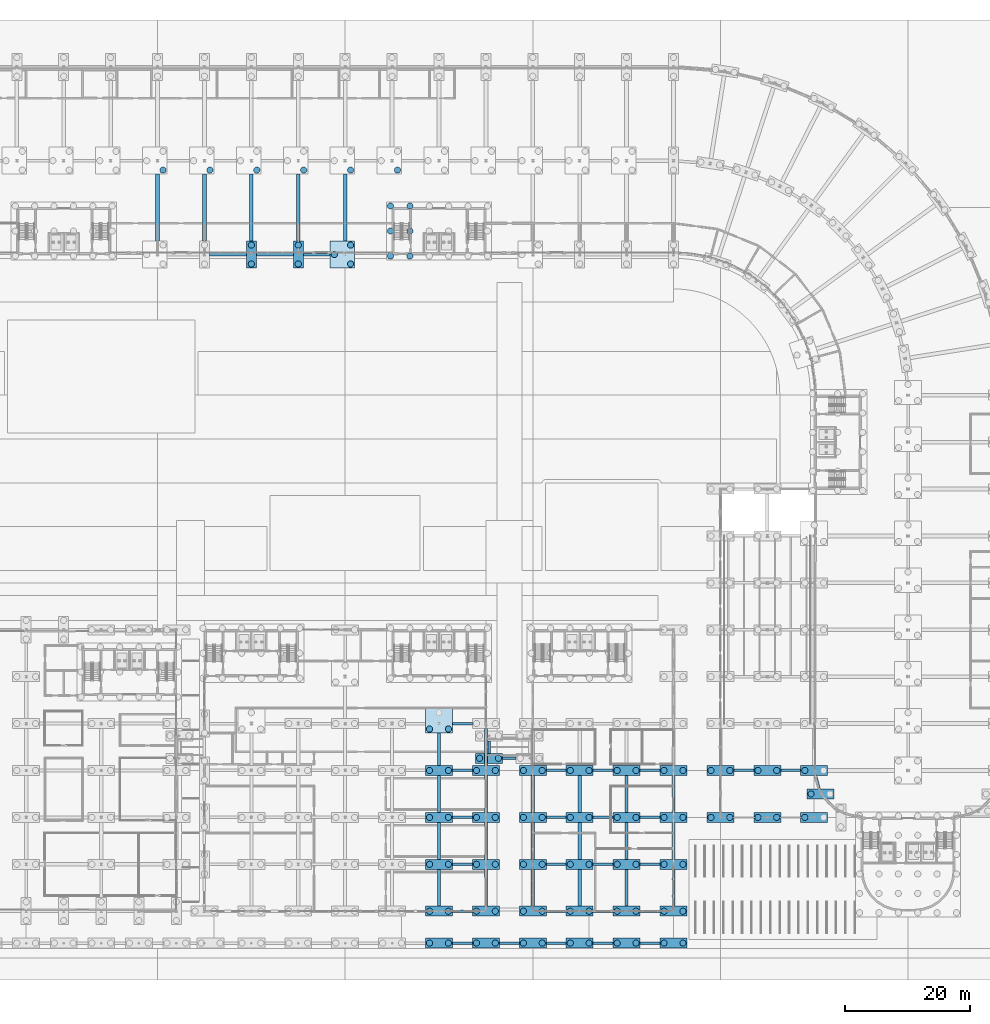
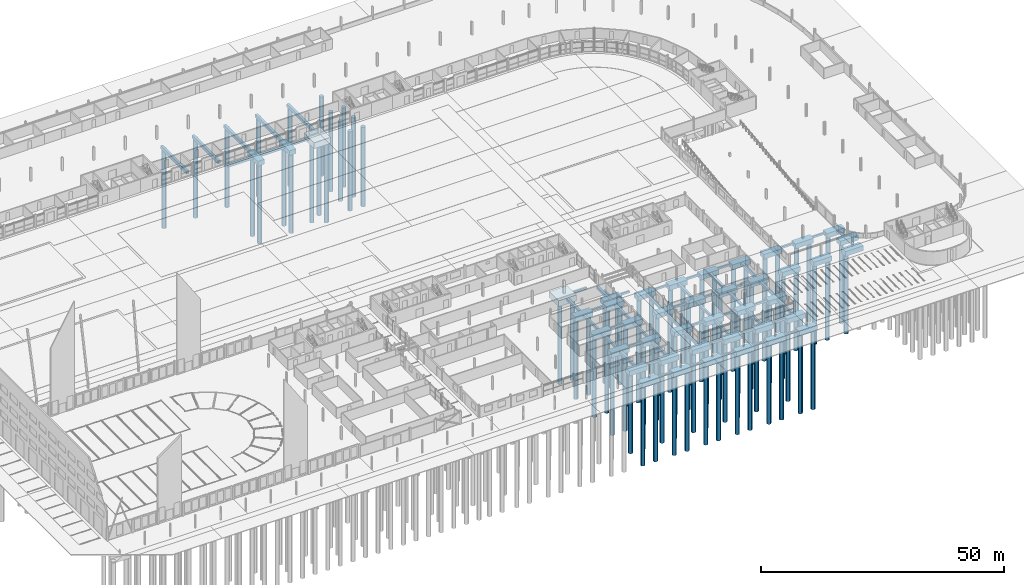
# One storey, part 4 of 130: 97 footings, 94 piles.
"""IFC4 building model written with IfcOpenShell, lengths in metres."""

from ifc_helpers import new_model, si_unit, direction, frame, origin, origin_2d, place, context, subcontext, project, spatial, rectangle, circle, extrude, material, material_profile, profile_set, type_object, element, save


model = new_model("IFC4")

# Units and contexts
model_context = context("Model", 3, precision=1e-05, world=origin(), true_north=direction((0.0, 1.0)))
body_context = subcontext(model_context, "Body", "Model", "MODEL_VIEW")
ifc_project = project(units=[si_unit("LENGTHUNIT", "METRE"), si_unit("AREAUNIT", "SQUARE_METRE"), si_unit("VOLUMEUNIT", "CUBIC_METRE"), si_unit("PLANEANGLEUNIT", "RADIAN"), si_unit("MASSUNIT", "GRAM", prefix="KILO")], contexts=[model_context])

# Site, building, storey
site_placement = place(None, origin())
site = spatial("IfcSite", under=ifc_project, at=site_placement, CompositionType="ELEMENT")
building_placement = place(site_placement, origin())
building = spatial("IfcBuilding", under=site, at=building_placement, Name="Parallax Yard Mobility Hub", CompositionType="ELEMENT")
storey_placement = place(building_placement, origin())
storey = spatial("IfcBuildingStorey", under=building, at=storey_placement, Name="L00", CompositionType="ELEMENT", Elevation=0.0)

# Piles
ifc_material = material(Name="Concrete fc' 28 MPa", Category="concrete")
ifc_material_profile_1 = material_profile(ifc_material, circle(Radius=0.5, at=origin_2d()), Name="Bored pile D1000")
ifc_profile_set_1 = profile_set([ifc_material_profile_1], Name="Concrete fc' 28 MPa")
pile_type = type_object("IfcPileType", Name="Bored pile D1000", PredefinedType="BORED", material=ifc_profile_set_1)
for number, where, z_axis, x_axis, name in (
    (1, (178.4951171875, 22.5, -1.35009765625), (0.0, 0.0, -1.0), (1.0, 0.0, 0.0), "Bored pile 1 of PC1 under column V2 at D/25"),
    (2, (181.5048828125, 22.5, -1.35009765625), (0.0, 0.0, -1.0), (1.0, 0.0, 0.0), "Bored pile 2 of PC1 under column V2 at D/25"),
    (3, (185.9951171875, 22.5, -1.35009765625), (0.0, 0.0, -1.0), (1.0, 0.0, 0.0), "Bored pile 1 of PC1 under column V2 at D/26"),
    (4, (189.0048828125, 22.5, -1.35009765625), (0.0, 0.0, -1.0), (1.0, 0.0, 0.0), "Bored pile 2 of PC1 under column V2 at D/26"),
    (5, (193.4951171875, 22.5, -1.35009765625), (0.0, 0.0, -1.0), (1.0, 0.0, 0.0), "Bored pile 1 of PC1 under column V2 at D/27"),
    (6, (178.4951171875, 30.0, -1.35009765625), (0.0, 0.0, -1.0), (1.0, 0.0, 0.0), "Bored pile 1 of PC1 under column V2 at E/25"),
    (7, (181.5048828125, 30.0, -1.35009765625), (0.0, 0.0, -1.0), (1.0, 0.0, 0.0), "Bored pile 2 of PC1 under column V2 at E/25"),
    (8, (185.9951171875, 30.0, -1.35009765625), (0.0, 0.0, -1.0), (1.0, 0.0, 0.0), "Bored pile 1 of PC1 under column V2 at E/26"),
    (9, (189.0048828125, 30.0, -1.35009765625), (0.0, 0.0, -1.0), (1.0, 0.0, 0.0), "Bored pile 2 of PC1 under column V2 at E/26"),
    (10, (193.4951171875, 30.0, -1.35009765625), (0.0, 0.0, -1.0), (1.0, 0.0, 0.0), "Bored pile 1 of PC1 under column V4 at E/27"),
    (11, (105.0, 110.9951171875, -1.35009765625), (0.0, 0.0, -1.0), (1.0, 0.0, 0.0), "Bored pile 1 of PC1 under column V4 at R/15"),
    (12, (105.0, 114.0048828125, -1.35009765625), (0.0, 0.0, -1.0), (1.0, 0.0, 0.0), "Bored pile 2 of PC1 under column V4 at R/15"),
    (13, (112.5, 110.9951171875, -1.35009765625), (0.0, 0.0, -1.0), (1.0, 0.0, 0.0), "Bored pile 1 of PC1 under column V4 at R/16"),
    (14, (112.5, 114.0048828125, -1.35009765625), (0.0, 0.0, -1.0), (1.0, 0.0, 0.0), "Bored pile 2 of PC1 under column V4 at R/16"),
    (15, (120.868896484375, 110.9951171875, -1.64990234375), (0.0, 0.0, -1.0), (1.0, 0.0, 0.0), "Bored pile 1 of PC3 under column V4 at R/17"),
    (16, (120.868896484375, 114.0048828125, -1.64990234375), (0.0, 0.0, -1.0), (1.0, 0.0, 0.0), "Bored pile 2 of PC3 under column V4 at R/17"),
    (17, (118.26220703125, 112.5, -1.64990234375), (0.0, 0.0, -1.0), (1.0, 0.0, 0.0), "Bored pile 3 of PC3 under column V4 at R/17"),
    (18, (194.499755859375, 26.25, -1.35009765625), (0.0, 0.0, -1.0), (1.0, 0.0, 0.0), "Bored pile 1 of PC1 under column V4 at S-W1"),
    (19, (90.868896484375, 125.9951171875, -1.64990234375), (0.0, 0.0, -1.0), (1.0, 0.0, 0.0), "Bored pile 1 of PC3 under column V4 at T/13"),
    (20, (98.368896484375, 125.9951171875, -1.64990234375), (0.0, 0.0, -1.0), (1.0, 0.0, 0.0), "Bored pile 1 of PC3 under column V4 at T/14"),
    (21, (105.868896484375, 125.9951171875, -1.64990234375), (0.0, 0.0, -1.0), (1.0, 0.0, 0.0), "Bored pile 1 of PC3 under column V4 at T/15"),
    (22, (113.368896484375, 125.9951171875, -1.64990234375), (0.0, 0.0, -1.0), (1.0, 0.0, 0.0), "Bored pile 1 of PC3 under column V4 at T/16"),
    (23, (120.868896484375, 125.9951171875, -1.64990234375), (0.0, 0.0, -1.0), (1.0, 0.0, 0.0), "Bored pile 1 of PC3 under column V4 at T/17"),
    (24, (128.368896484375, 125.9951171875, -1.64990234375), (0.0, 0.0, -1.0), (1.0, 0.0, 0.0), "Bored pile 1 of PC3 under column V4 at T/18"),
    (25, (148.4951171875, 7.5, -1.35009765625), (0.0, 0.0, -1.0), (1.0, 0.0, 0.0), "Bored pile 1 of PC1 under column V5 at B/21"),
    (26, (151.5048828125, 7.5, -1.35009765625), (0.0, 0.0, -1.0), (1.0, 0.0, 0.0), "Bored pile 2 of PC1 under column V5 at B/21"),
    (27, (155.9951171875, 7.5, -1.35009765625), (0.0, 0.0, -1.0), (1.0, 0.0, 0.0), "Bored pile 1 of PC1 under column V5 at B/22"),
    (28, (159.0048828125, 7.5, -1.35009765625), (0.0, 0.0, -1.0), (1.0, 0.0, 0.0), "Bored pile 2 of PC1 under column V5 at B/22"),
    (29, (163.4951171875, 7.5, -1.35009765625), (0.0, 0.0, -1.0), (1.0, 0.0, 0.0), "Bored pile 1 of PC1 under column V5 at B/23"),
    (30, (166.5048828125, 7.5, -1.35009765625), (0.0, 0.0, -1.0), (1.0, 0.0, 0.0), "Bored pile 2 of PC1 under column V5 at B/23"),
    (31, (170.9951171875, 7.5, -1.35009765625), (0.0, 0.0, -1.0), (1.0, 0.0, 0.0), "Bored pile 1 of PC1 under column V5 at B/24"),
    (32, (174.0048828125, 7.5, -1.35009765625), (0.0, 0.0, -1.0), (1.0, 0.0, 0.0), "Bored pile 2 of PC1 under column V5 at B/24"),
    (33, (148.4951171875, 15.0, -1.35009765625), (0.0, 0.0, -1.0), (1.0, 0.0, 0.0), "Bored pile 1 of PC1 under column V5 at C/21"),
    (34, (151.5048828125, 15.0, -1.35009765625), (0.0, 0.0, -1.0), (1.0, 0.0, 0.0), "Bored pile 2 of PC1 under column V5 at C/21"),
    (35, (155.9951171875, 15.0, -1.35009765625), (0.0, 0.0, -1.0), (1.0, 0.0, 0.0), "Bored pile 1 of PC1 under column V5 at C/22"),
    (36, (159.0048828125, 15.0, -1.35009765625), (0.0, 0.0, -1.0), (1.0, 0.0, 0.0), "Bored pile 2 of PC1 under column V5 at C/22"),
    (37, (163.4951171875, 15.0, -1.35009765625), (0.0, 0.0, -1.0), (1.0, 0.0, 0.0), "Bored pile 1 of PC1 under column V5 at C/23"),
    (38, (166.5048828125, 15.0, -1.35009765625), (0.0, 0.0, -1.0), (1.0, 0.0, 0.0), "Bored pile 2 of PC1 under column V5 at C/23"),
    (39, (170.9951171875, 15.0, -1.35009765625), (0.0, 0.0, -1.0), (1.0, 0.0, 0.0), "Bored pile 1 of PC1 under column V5 at C/24"),
    (40, (174.0048828125, 15.0, -1.35009765625), (0.0, 0.0, -1.0), (1.0, 0.0, 0.0), "Bored pile 2 of PC1 under column V5 at C/24"),
    (41, (148.4951171875, 22.5, -1.35009765625), (0.0, 0.0, -1.0), (1.0, 0.0, 0.0), "Bored pile 1 of PC1 under column V5 at D/21"),
    (42, (151.5048828125, 22.5, -1.35009765625), (0.0, 0.0, -1.0), (1.0, 0.0, 0.0), "Bored pile 2 of PC1 under column V5 at D/21"),
    (43, (155.9951171875, 22.5, -1.35009765625), (0.0, 0.0, -1.0), (1.0, 0.0, 0.0), "Bored pile 1 of PC1 under column V5 at D/22"),
    (44, (159.0048828125, 22.5, -1.35009765625), (0.0, 0.0, -1.0), (1.0, 0.0, 0.0), "Bored pile 2 of PC1 under column V5 at D/22"),
    (45, (163.4951171875, 22.5, -1.35009765625), (0.0, 0.0, -1.0), (1.0, 0.0, 0.0), "Bored pile 1 of PC1 under column V5 at D/23"),
    (46, (166.5048828125, 22.5, -1.35009765625), (0.0, 0.0, -1.0), (1.0, 0.0, 0.0), "Bored pile 2 of PC1 under column V5 at D/23"),
    (47, (170.9951171875, 22.5, -1.35009765625), (0.0, 0.0, -1.0), (1.0, 0.0, 0.0), "Bored pile 1 of PC1 under column V5 at D/24"),
    (48, (174.0048828125, 22.5, -1.35009765625), (0.0, 0.0, -1.0), (1.0, 0.0, 0.0), "Bored pile 2 of PC1 under column V5 at D/24"),
    (49, (148.4951171875, 30.0, -1.35009765625), (0.0, 0.0, -1.0), (1.0, 0.0, 0.0), "Bored pile 1 of PC1 under column V5 at E/21"),
    (50, (151.5048828125, 30.0, -1.35009765625), (0.0, 0.0, -1.0), (1.0, 0.0, 0.0), "Bored pile 2 of PC1 under column V5 at E/21"),
    (51, (155.9951171875, 30.0, -1.35009765625), (0.0, 0.0, -1.0), (1.0, 0.0, 0.0), "Bored pile 1 of PC1 under column V5 at E/22"),
    (52, (159.0048828125, 30.0, -1.35009765625), (0.0, 0.0, -1.0), (1.0, 0.0, 0.0), "Bored pile 2 of PC1 under column V5 at E/22"),
    (53, (163.4951171875, 30.0, -1.35009765625), (0.0, 0.0, -1.0), (1.0, 0.0, 0.0), "Bored pile 1 of PC1 under column V5 at E/23"),
    (54, (166.5048828125, 30.0, -1.35009765625), (0.0, 0.0, -1.0), (1.0, 0.0, 0.0), "Bored pile 2 of PC1 under column V5 at E/23"),
    (55, (170.9951171875, 30.0, -1.35009765625), (0.0, 0.0, -1.0), (1.0, 0.0, 0.0), "Bored pile 1 of PC1 under column V5 at E/24"),
    (56, (174.0048828125, 30.0, -1.35009765625), (0.0, 0.0, -1.0), (1.0, 0.0, 0.0), "Bored pile 2 of PC1 under column V5 at E/24"),
    (57, (133.4951171875, 7.5, -1.35009765625), (0.0, 0.0, -1.0), (1.0, 0.0, 0.0), "Bored pile 1 of PC1 under column V6 at B/19"),
    (58, (136.5048828125, 7.5, -1.35009765625), (0.0, 0.0, -1.0), (1.0, 0.0, 0.0), "Bored pile 2 of PC1 under column V6 at B/19"),
    (59, (140.9951171875, 7.5, -1.35009765625), (0.0, 0.0, -1.0), (1.0, 0.0, 0.0), "Bored pile 1 of PC1 under column V6 at B/20"),
    (60, (144.0048828125, 7.5, -1.35009765625), (0.0, 0.0, -1.0), (1.0, 0.0, 0.0), "Bored pile 2 of PC1 under column V6 at B/20"),
    (61, (133.4951171875, 15.0, -1.35009765625), (0.0, 0.0, -1.0), (1.0, 0.0, 0.0), "Bored pile 1 of PC1 under column V6 at C/19"),
    (62, (136.5048828125, 15.0, -1.35009765625), (0.0, 0.0, -1.0), (1.0, 0.0, 0.0), "Bored pile 2 of PC1 under column V6 at C/19"),
    (63, (140.9951171875, 15.0, -1.35009765625), (0.0, 0.0, -1.0), (1.0, 0.0, 0.0), "Bored pile 1 of PC1 under column V6 at C/20"),
    (64, (144.0048828125, 15.0, -1.35009765625), (0.0, 0.0, -1.0), (1.0, 0.0, 0.0), "Bored pile 2 of PC1 under column V6 at C/20"),
    (65, (133.4951171875, 22.5, -1.35009765625), (0.0, 0.0, -1.0), (1.0, 0.0, 0.0), "Bored pile 1 of PC1 under column V6 at D/19"),
    (66, (136.5048828125, 22.5, -1.35009765625), (0.0, 0.0, -1.0), (1.0, 0.0, 0.0), "Bored pile 2 of PC1 under column V6 at D/19"),
    (67, (140.9951171875, 22.5, -1.35009765625), (0.0, 0.0, -1.0), (1.0, 0.0, 0.0), "Bored pile 1 of PC1 under column V6 at D/20"),
    (68, (144.0048828125, 22.5, -1.35009765625), (0.0, 0.0, -1.0), (1.0, 0.0, 0.0), "Bored pile 2 of PC1 under column V6 at D/20"),
    (69, (133.4951171875, 30.0, -1.35009765625), (0.0, 0.0, -1.0), (1.0, 0.0, 0.0), "Bored pile 1 of PC1 under column V6 at E/19"),
    (70, (136.5048828125, 30.0, -1.35009765625), (0.0, 0.0, -1.0), (1.0, 0.0, 0.0), "Bored pile 2 of PC1 under column V6 at E/19"),
    (71, (140.9951171875, 30.0, -1.35009765625), (0.0, 0.0, -1.0), (1.0, 0.0, 0.0), "Bored pile 1 of PC1 under column V6 at E/20"),
    (72, (144.0048828125, 30.0, -1.35009765625), (0.0, 0.0, -1.0), (1.0, 0.0, 0.0), "Bored pile 2 of PC1 under column V6 at E/20"),
    (73, (133.4951171875, 36.631103515625, -1.64990234375), (0.0, 0.0, -1.0), (1.0, 0.0, 0.0), "Bored pile 1 of PC3 under column V6 at F/19"),
    (74, (136.5048828125, 36.631103515625, -1.64990234375), (0.0, 0.0, -1.0), (1.0, 0.0, 0.0), "Bored pile 2 of PC3 under column V6 at F/19"),
    (75, (127.25, 112.25, -1.64990234375), (0.0, 0.0, -1.0), (1.0, 0.0, 0.0), "Bored pile 1 of PR1 under core C-N2"),
    (76, (130.35009765625, 112.25, -1.64990234375), (0.0, 0.0, -1.0), (1.0, 0.0, 0.0), "Bored pile 2 of PR1 under core C-N2"),
    (77, (127.25, 116.25, -1.64990234375), (0.0, 0.0, -1.0), (1.0, 0.0, 0.0), "Bored pile 7 of PR1 under core C-N2"),
    (78, (130.35009765625, 116.25, -1.64990234375), (0.0, 0.0, -1.0), (1.0, 0.0, 0.0), "Bored pile 8 of PR1 under core C-N2"),
    (79, (127.25, 120.25, -1.64990234375), (0.0, 0.0, -1.0), (1.0, 0.0, 0.0), "Bored pile 13 of PR1 under core C-N2"),
    (80, (130.35009765625, 120.25, -1.64990234375), (0.0, 0.0, -1.0), (1.0, 0.0, 0.0), "Bored pile 14 of PR1 under core C-N2"),
    (81, (133.4951171875, 2.39990234375, -1.35009765625), (0.0, 0.0, -1.0), (1.0, 0.0, 0.0), "Bored pile 1 of PC1 under column RT at AR-V6-C06-L00"),
    (82, (136.5048828125, 2.39990234375, -1.35009765625), (0.0, 0.0, -1.0), (1.0, 0.0, 0.0), "Bored pile 2 of PC1 under column RT at AR-V6-C06-L00"),
    (83, (140.9951171875, 2.39990234375, -1.35009765625), (0.0, 0.0, -1.0), (1.0, 0.0, 0.0), "Bored pile 1 of PC1 under column RT at AR-V6-C07-L00"),
    (84, (144.0048828125, 2.39990234375, -1.35009765625), (0.0, 0.0, -1.0), (1.0, 0.0, 0.0), "Bored pile 2 of PC1 under column RT at AR-V6-C07-L00"),
    (85, (148.4951171875, 2.39990234375, -1.35009765625), (0.0, 0.0, -1.0), (1.0, 0.0, 0.0), "Bored pile 1 of PC1 under column RT at AR-V6-C08-L00"),
    (86, (151.5048828125, 2.39990234375, -1.35009765625), (0.0, 0.0, -1.0), (1.0, 0.0, 0.0), "Bored pile 2 of PC1 under column RT at AR-V6-C08-L00"),
    (87, (155.9951171875, 2.39990234375, -1.35009765625), (0.0, 0.0, -1.0), (1.0, 0.0, 0.0), "Bored pile 1 of PC1 under column RT at AR-V6-C09-L00"),
    (88, (159.0048828125, 2.39990234375, -1.35009765625), (0.0, 0.0, -1.0), (1.0, 0.0, 0.0), "Bored pile 2 of PC1 under column RT at AR-V6-C09-L00"),
    (89, (163.4951171875, 2.39990234375, -1.35009765625), (0.0, 0.0, -1.0), (1.0, 0.0, 0.0), "Bored pile 1 of PC1 under column RT at AR-V6-C10-L00"),
    (90, (166.5048828125, 2.39990234375, -1.35009765625), (0.0, 0.0, -1.0), (1.0, 0.0, 0.0), "Bored pile 2 of PC1 under column RT at AR-V6-C10-L00"),
    (91, (170.9951171875, 2.39990234375, -1.35009765625), (0.0, 0.0, -1.0), (1.0, 0.0, 0.0), "Bored pile 1 of PC1 under column RT at AR-V6-C11-L00"),
    (92, (174.0048828125, 2.39990234375, -1.35009765625), (0.0, 0.0, -1.0), (1.0, 0.0, 0.0), "Bored pile 2 of PC1 under column RT at AR-V6-C11-L00"),
    (93, (141.4951171875, 31.949951171875, -1.35009765625), (0.0, 0.0, -1.0), (1.0, 0.0, 0.0), "Bored pile 1 of PC1 under column RT at BR-BR3-PI0320-1-L00"),
    (94, (144.5048828125, 31.949951171875, -1.35009765625), (0.0, 0.0, -1.0), (1.0, 0.0, 0.0), "Bored pile 2 of PC1 under column RT at BR-BR3-PI0320-1-L00"),
):
    element("IfcPile", number, at=place(storey_placement, frame(where, z_axis=z_axis, x_axis=x_axis)), inside=storey, type_object=pile_type, Name=name, PredefinedType="BORED", context=body_context, shape_type="SweptSolid", body=[
        extrude(circle(Radius=0.5, at=origin_2d()), origin(), (0.0, 0.0, 1.0), 20.0),
    ])

# Footings
ifc_material_profile_2 = material_profile(ifc_material, rectangle(XDim=0.39990234375, YDim=0.5, at=origin_2d()), Name="Grade beam 400x500")
ifc_profile_set_2 = profile_set([ifc_material_profile_2], Name="Concrete fc' 28 MPa")
footing_type_1 = type_object("IfcFootingType", Name="Grade beam 400x500", PredefinedType="STRIP_FOOTING", material=ifc_profile_set_2)
for number, where, z_axis, x_axis, name in (
    (95, (182.155029296875, 30.0, -0.5), (1.0, 0.0, 0.0), (0.0, 1.0, 0.0), "Grade beam GB1 between E/25 and E/26 of ramp house"),
    (96, (189.655029296875, 30.0, -0.5), (1.0, 0.0, 0.0), (0.0, 1.0, 0.0), "Grade beam GB1 between E/26 and E/27 of ramp house"),
):
    element("IfcFooting", number, at=place(storey_placement, frame(where, z_axis=z_axis, x_axis=x_axis)), inside=storey, type_object=footing_type_1, Name=name, PredefinedType="STRIP_FOOTING", context=body_context, shape_type="SweptSolid", body=[
        extrude(rectangle(XDim=0.39990234375, YDim=0.5, at=origin_2d()), origin(), (0.0, 0.0, 1.0), 3.18994140625),
    ])
footing_1_placement = place(storey_placement, frame((195.21435546875, 29.199951171875, -0.5), z_axis=(0.258761672144, -0.965941197501, 0.0), x_axis=(0.965941197501, 0.258761672144, 0.0)))
element("IfcFooting", 97, at=footing_1_placement, inside=storey, type_object=footing_type_1, Name="Grade beam GB1 between E/27 and S-W1 of ramped parking decks", PredefinedType="STRIP_FOOTING", context=body_context, shape_type="SweptSolid", body=[
    extrude(rectangle(XDim=0.39990234375, YDim=0.5, at=origin_2d()), origin(), (0.0, 0.0, 1.0), 2.2255859375),
])
footing_2_placement = place(storey_placement, frame((113.300048828125, 112.5, -0.5), z_axis=(1.0, 0.0, 0.0), x_axis=(0.0, 1.0, 0.0)))
element("IfcFooting", 98, at=footing_2_placement, inside=storey, type_object=footing_type_1, Name="Grade beam GB1 between R/16 and R/17 of ramped parking decks", PredefinedType="STRIP_FOOTING", context=body_context, shape_type="SweptSolid", body=[
    extrude(rectangle(XDim=0.39990234375, YDim=0.5, at=origin_2d()), origin(), (0.0, 0.0, 1.0), 4.312255859375),
])
for number, where, z_axis, x_axis, name in (
    (99, (152.155029296875, 7.5, -0.5), (1.0, 0.0, 0.0), (0.0, 1.0, 0.0), "Grade beam GB1 between B/21 and B/22 of bicycle and shared-mobility hall"),
    (100, (159.655029296875, 7.5, -0.5), (1.0, 0.0, 0.0), (0.0, 1.0, 0.0), "Grade beam GB1 between B/22 and B/23 of bicycle and shared-mobility hall"),
    (101, (167.155029296875, 7.5, -0.5), (1.0, 0.0, 0.0), (0.0, 1.0, 0.0), "Grade beam GB1 between B/23 and B/24 of bicycle and shared-mobility hall"),
    (102, (152.155029296875, 15.0, -0.5), (1.0, 0.0, 0.0), (0.0, 1.0, 0.0), "Grade beam GB1 between C/21 and C/22 of bicycle and shared-mobility hall"),
    (103, (159.655029296875, 15.0, -0.5), (1.0, 0.0, 0.0), (0.0, 1.0, 0.0), "Grade beam GB1 between C/22 and C/23 of bicycle and shared-mobility hall"),
    (104, (167.155029296875, 15.0, -0.5), (1.0, 0.0, 0.0), (0.0, 1.0, 0.0), "Grade beam GB1 between C/23 and C/24 of bicycle and shared-mobility hall"),
    (105, (152.155029296875, 22.5, -0.5), (1.0, 0.0, 0.0), (0.0, 1.0, 0.0), "Grade beam GB1 between D/21 and D/22 of bicycle and shared-mobility hall"),
    (106, (159.655029296875, 22.5, -0.5), (1.0, 0.0, 0.0), (0.0, 1.0, 0.0), "Grade beam GB1 between D/22 and D/23 of bicycle and shared-mobility hall"),
    (107, (167.155029296875, 22.5, -0.5), (1.0, 0.0, 0.0), (0.0, 1.0, 0.0), "Grade beam GB1 between D/23 and D/24 of bicycle and shared-mobility hall"),
    (108, (152.155029296875, 30.0, -0.5), (1.0, 0.0, 0.0), (0.0, 1.0, 0.0), "Grade beam GB1 between E/21 and E/22 of bicycle and shared-mobility hall"),
    (109, (159.655029296875, 30.0, -0.5), (1.0, 0.0, 0.0), (0.0, 1.0, 0.0), "Grade beam GB1 between E/22 and E/23 of bicycle and shared-mobility hall"),
    (110, (167.155029296875, 30.0, -0.5), (1.0, 0.0, 0.0), (0.0, 1.0, 0.0), "Grade beam GB1 between E/23 and E/24 of bicycle and shared-mobility hall"),
    (111, (137.155029296875, 7.5, -0.5), (1.0, 0.0, 0.0), (0.0, 1.0, 0.0), "Grade beam GB1 between B/19 and B/20 of mobility service centre and workshops"),
    (112, (137.155029296875, 15.0, -0.5), (1.0, 0.0, 0.0), (0.0, 1.0, 0.0), "Grade beam GB1 between C/19 and C/20 of mobility service centre and workshops"),
    (113, (137.155029296875, 22.5, -0.5), (1.0, 0.0, 0.0), (0.0, 1.0, 0.0), "Grade beam GB1 between D/19 and D/20 of mobility service centre and workshops"),
    (114, (137.155029296875, 30.0, -0.5), (1.0, 0.0, 0.0), (0.0, 1.0, 0.0), "Grade beam GB1 between E/19 and E/20 of mobility service centre and workshops"),
    (115, (137.155029296875, 37.5, -0.5), (1.0, 0.0, 0.0), (0.0, 1.0, 0.0), "Grade beam GB1 between F/19 and F/20 of mobility service centre and workshops"),
    (116, (137.155029296875, 2.39990234375, -0.5), (1.0, 0.0, 0.0), (0.0, 1.0, 0.0), "Grade beam GB1 between two column caps of the roof and arcade columns"),
    (117, (144.655029296875, 2.39990234375, -0.5), (1.0, 0.0, 0.0), (0.0, 1.0, 0.0), "Grade beam GB1 between two column caps of the roof and arcade columns"),
    (118, (152.155029296875, 2.39990234375, -0.5), (1.0, 0.0, 0.0), (0.0, 1.0, 0.0), "Grade beam GB1 between two column caps of the roof and arcade columns"),
    (119, (159.655029296875, 2.39990234375, -0.5), (1.0, 0.0, 0.0), (0.0, 1.0, 0.0), "Grade beam GB1 between two column caps of the roof and arcade columns"),
    (120, (167.155029296875, 2.39990234375, -0.5), (1.0, 0.0, 0.0), (0.0, 1.0, 0.0), "Grade beam GB1 between two column caps of the roof and arcade columns"),
):
    element("IfcFooting", number, at=place(storey_placement, frame(where, z_axis=z_axis, x_axis=x_axis)), inside=storey, type_object=footing_type_1, Name=name, PredefinedType="STRIP_FOOTING", context=body_context, shape_type="SweptSolid", body=[
        extrude(rectangle(XDim=0.39990234375, YDim=0.5, at=origin_2d()), origin(), (0.0, 0.0, 1.0), 3.18994140625),
    ])
footing_3_placement = place(storey_placement, frame((145.155029296875, 31.949951171875, -0.5), z_axis=(1.0, 0.0, 0.0), x_axis=(0.0, 1.0, 0.0)))
element("IfcFooting", 121, at=footing_3_placement, inside=storey, type_object=footing_type_1, Name="Grade beam GB1 between two column caps of the roof and arcade columns", PredefinedType="STRIP_FOOTING", context=body_context, shape_type="SweptSolid", body=[
    extrude(rectangle(XDim=0.39990234375, YDim=0.5, at=origin_2d()), origin(), (0.0, 0.0, 1.0), 2.18994140625),
])
footing_4_placement = place(storey_placement, frame((143.0, 32.75, -0.5), z_axis=(0.0, 1.0, 0.0), x_axis=(-1.0, 0.0, 0.0)))
element("IfcFooting", 122, at=footing_4_placement, inside=storey, type_object=footing_type_1, Name="Grade beam GB1 between two column caps of the roof and arcade columns", PredefinedType="STRIP_FOOTING", context=body_context, shape_type="SweptSolid", body=[
    extrude(rectangle(XDim=0.39990234375, YDim=0.5, at=origin_2d()), origin(), (0.0, 0.0, 1.0), 2.0),
])
ifc_material_profile_3 = material_profile(ifc_material, rectangle(XDim=0.5, YDim=0.60009765625, at=origin_2d()), Name="Grade beam 500x600")
ifc_profile_set_3 = profile_set([ifc_material_profile_3], Name="Concrete fc' 28 MPa")
footing_type_2 = type_object("IfcFootingType", Name="Grade beam 500x600", PredefinedType="STRIP_FOOTING", material=ifc_profile_set_3)
for number, where, z_axis, x_axis, name in (
    (123, (98.300048828125, 112.5, -0.550048828125), (1.0, 0.0, 0.0), (0.0, 1.0, 0.0), "Grade beam GB2 between R/14 and R/15 of ramped parking decks"),
    (124, (105.800048828125, 112.5, -0.550048828125), (1.0, 0.0, 0.0), (0.0, 1.0, 0.0), "Grade beam GB2 between R/15 and R/16 of ramped parking decks"),
    (125, (150.0, 8.300048828125, -0.550048828125), (0.0, 1.0, 0.0), (-1.0, 0.0, 0.0), "Grade beam GB2 between B/21 and C/21 of bicycle and shared-mobility hall"),
    (126, (157.5, 8.300048828125, -0.550048828125), (0.0, 1.0, 0.0), (-1.0, 0.0, 0.0), "Grade beam GB2 between B/22 and C/22 of bicycle and shared-mobility hall"),
    (127, (165.0, 8.300048828125, -0.550048828125), (0.0, 1.0, 0.0), (-1.0, 0.0, 0.0), "Grade beam GB2 between B/23 and C/23 of bicycle and shared-mobility hall"),
    (128, (172.5, 8.300048828125, -0.550048828125), (0.0, 1.0, 0.0), (-1.0, 0.0, 0.0), "Grade beam GB2 between B/24 and C/24 of bicycle and shared-mobility hall"),
    (129, (150.0, 15.800048828125, -0.550048828125), (0.0, 1.0, 0.0), (-1.0, 0.0, 0.0), "Grade beam GB2 between C/21 and D/21 of bicycle and shared-mobility hall"),
    (130, (157.5, 15.800048828125, -0.550048828125), (0.0, 1.0, 0.0), (-1.0, 0.0, 0.0), "Grade beam GB2 between C/22 and D/22 of bicycle and shared-mobility hall"),
    (131, (165.0, 15.800048828125, -0.550048828125), (0.0, 1.0, 0.0), (-1.0, 0.0, 0.0), "Grade beam GB2 between C/23 and D/23 of bicycle and shared-mobility hall"),
    (132, (172.5, 15.800048828125, -0.550048828125), (0.0, 1.0, 0.0), (-1.0, 0.0, 0.0), "Grade beam GB2 between C/24 and D/24 of bicycle and shared-mobility hall"),
    (133, (150.0, 23.300048828125, -0.550048828125), (0.0, 1.0, 0.0), (-1.0, 0.0, 0.0), "Grade beam GB2 between D/21 and E/21 of bicycle and shared-mobility hall"),
    (134, (157.5, 23.300048828125, -0.550048828125), (0.0, 1.0, 0.0), (-1.0, 0.0, 0.0), "Grade beam GB2 between D/22 and E/22 of bicycle and shared-mobility hall"),
    (135, (165.0, 23.300048828125, -0.550048828125), (0.0, 1.0, 0.0), (-1.0, 0.0, 0.0), "Grade beam GB2 between D/23 and E/23 of bicycle and shared-mobility hall"),
    (136, (172.5, 23.300048828125, -0.550048828125), (0.0, 1.0, 0.0), (-1.0, 0.0, 0.0), "Grade beam GB2 between D/24 and E/24 of bicycle and shared-mobility hall"),
    (137, (135.0, 8.300048828125, -0.550048828125), (0.0, 1.0, 0.0), (-1.0, 0.0, 0.0), "Grade beam GB2 between B/19 and C/19 of mobility service centre and workshops"),
    (138, (142.5, 8.300048828125, -0.550048828125), (0.0, 1.0, 0.0), (-1.0, 0.0, 0.0), "Grade beam GB2 between B/20 and C/20 of mobility service centre and workshops"),
    (139, (135.0, 15.800048828125, -0.550048828125), (0.0, 1.0, 0.0), (-1.0, 0.0, 0.0), "Grade beam GB2 between C/19 and D/19 of mobility service centre and workshops"),
    (140, (142.5, 15.800048828125, -0.550048828125), (0.0, 1.0, 0.0), (-1.0, 0.0, 0.0), "Grade beam GB2 between C/20 and D/20 of mobility service centre and workshops"),
    (141, (135.0, 23.300048828125, -0.550048828125), (0.0, 1.0, 0.0), (-1.0, 0.0, 0.0), "Grade beam GB2 between D/19 and E/19 of mobility service centre and workshops"),
    (142, (142.5, 23.300048828125, -0.550048828125), (0.0, 1.0, 0.0), (-1.0, 0.0, 0.0), "Grade beam GB2 between D/20 and E/20 of mobility service centre and workshops"),
):
    element("IfcFooting", number, at=place(storey_placement, frame(where, z_axis=z_axis, x_axis=x_axis)), inside=storey, type_object=footing_type_2, Name=name, PredefinedType="STRIP_FOOTING", context=body_context, shape_type="SweptSolid", body=[
        extrude(rectangle(XDim=0.5, YDim=0.60009765625, at=origin_2d()), origin(), (0.0, 0.0, 1.0), 5.89990234375),
    ])
footing_5_placement = place(storey_placement, frame((135.0, 30.800048828125, -0.550048828125), z_axis=(0.0, 1.0, 0.0), x_axis=(-1.0, 0.0, 0.0)))
element("IfcFooting", 143, at=footing_5_placement, inside=storey, type_object=footing_type_2, Name="Grade beam GB2 between E/19 and F/19 of mobility service centre and workshops", PredefinedType="STRIP_FOOTING", context=body_context, shape_type="SweptSolid", body=[
    extrude(rectangle(XDim=0.5, YDim=0.60009765625, at=origin_2d()), origin(), (0.0, 0.0, 1.0), 5.18115234375),
])
footing_6_placement = place(storey_placement, frame((142.5, 30.800048828125, -0.550048828125), z_axis=(0.0, 1.0, 0.0), x_axis=(-1.0, 0.0, 0.0)))
element("IfcFooting", 144, at=footing_6_placement, inside=storey, type_object=footing_type_2, Name="Grade beam GB2 between E/20 and F/20 of mobility service centre and workshops", PredefinedType="STRIP_FOOTING", context=body_context, shape_type="SweptSolid", body=[
    extrude(rectangle(XDim=0.5, YDim=0.60009765625, at=origin_2d()), origin(), (0.0, 0.0, 1.0), 5.89990234375),
])
ifc_material_profile_4 = material_profile(ifc_material, rectangle(XDim=0.60009765625, YDim=0.800048828125, at=origin_2d()), Name="Grade beam 600x800")
ifc_profile_set_4 = profile_set([ifc_material_profile_4], Name="Concrete fc' 28 MPa")
footing_type_3 = type_object("IfcFootingType", Name="Grade beam 600x800", PredefinedType="STRIP_FOOTING", material=ifc_profile_set_4)
for number, where, z_axis, x_axis, name in (
    (145, (90.0, 114.655029296875, -0.64990234375), (0.0, 1.0, 0.0), (-1.0, 0.0, 0.0), "Grade beam GB3 between R/13 and T/13 of ramped parking decks"),
    (146, (97.5, 114.655029296875, -0.64990234375), (0.0, 1.0, 0.0), (-1.0, 0.0, 0.0), "Grade beam GB3 between R/14 and T/14 of ramped parking decks"),
    (147, (105.0, 114.655029296875, -0.64990234375), (0.0, 1.0, 0.0), (-1.0, 0.0, 0.0), "Grade beam GB3 between R/15 and T/15 of ramped parking decks"),
    (148, (112.5, 114.655029296875, -0.64990234375), (0.0, 1.0, 0.0), (-1.0, 0.0, 0.0), "Grade beam GB3 between R/16 and T/16 of ramped parking decks"),
    (149, (120.0, 114.655029296875, -0.64990234375), (0.0, 1.0, 0.0), (-1.0, 0.0, 0.0), "Grade beam GB3 between R/17 and T/17 of ramped parking decks"),
):
    element("IfcFooting", number, at=place(storey_placement, frame(where, z_axis=z_axis, x_axis=x_axis)), inside=storey, type_object=footing_type_3, Name=name, PredefinedType="STRIP_FOOTING", context=body_context, shape_type="SweptSolid", body=[
        extrude(rectangle(XDim=0.60009765625, YDim=0.800048828125, at=origin_2d()), origin(), (0.0, 0.0, 1.0), 10.68994140625),
    ])
footing_type_4 = type_object("IfcFootingType", Name="Pile cap 4310x1600x1200", PredefinedType="PILE_CAP", material=ifc_material)
for number, where, z_axis, x_axis, name in (
    (150, (180.0, 22.5, -1.4501953125), (0.0, 0.0, 1.0), (1.0, 0.0, 0.0), "Pile cap PC1 under column V2 at D/25"),
    (151, (187.5, 22.5, -1.4501953125), (0.0, 0.0, 1.0), (1.0, 0.0, 0.0), "Pile cap PC1 under column V2 at D/26"),
    (152, (195.0, 22.5, -1.4501953125), (0.0, 0.0, 1.0), (1.0, 0.0, 0.0), "Pile cap PC1 under column V2 at D/27"),
    (153, (180.0, 30.0, -1.4501953125), (0.0, 0.0, 1.0), (1.0, 0.0, 0.0), "Pile cap PC1 under column V2 at E/25"),
    (154, (187.5, 30.0, -1.4501953125), (0.0, 0.0, 1.0), (1.0, 0.0, 0.0), "Pile cap PC1 under column V2 at E/26"),
    (155, (195.0, 30.0, -1.4501953125), (0.0, 0.0, 1.0), (1.0, 0.0, 0.0), "Pile cap PC1 under column V4 at E/27"),
    (156, (105.0, 112.5, -1.4501953125), (0.0, 0.0, 1.0), (0.0, 1.0, 0.0), "Pile cap PC1 under column V4 at R/15"),
    (157, (112.5, 112.5, -1.4501953125), (0.0, 0.0, 1.0), (0.0, 1.0, 0.0), "Pile cap PC1 under column V4 at R/16"),
    (158, (196.0048828125, 26.25, -1.4501953125), (0.0, 0.0, 1.0), (1.0, 0.0, 0.0), "Pile cap PC1 under column V4 at S-W1"),
    (159, (150.0, 7.5, -1.4501953125), (0.0, 0.0, 1.0), (1.0, 0.0, 0.0), "Pile cap PC1 under column V5 at B/21"),
    (160, (157.5, 7.5, -1.4501953125), (0.0, 0.0, 1.0), (1.0, 0.0, 0.0), "Pile cap PC1 under column V5 at B/22"),
    (161, (165.0, 7.5, -1.4501953125), (0.0, 0.0, 1.0), (1.0, 0.0, 0.0), "Pile cap PC1 under column V5 at B/23"),
    (162, (172.5, 7.5, -1.4501953125), (0.0, 0.0, 1.0), (1.0, 0.0, 0.0), "Pile cap PC1 under column V5 at B/24"),
    (163, (150.0, 15.0, -1.4501953125), (0.0, 0.0, 1.0), (1.0, 0.0, 0.0), "Pile cap PC1 under column V5 at C/21"),
    (164, (157.5, 15.0, -1.4501953125), (0.0, 0.0, 1.0), (1.0, 0.0, 0.0), "Pile cap PC1 under column V5 at C/22"),
    (165, (165.0, 15.0, -1.4501953125), (0.0, 0.0, 1.0), (1.0, 0.0, 0.0), "Pile cap PC1 under column V5 at C/23"),
    (166, (172.5, 15.0, -1.4501953125), (0.0, 0.0, 1.0), (1.0, 0.0, 0.0), "Pile cap PC1 under column V5 at C/24"),
    (167, (150.0, 22.5, -1.4501953125), (0.0, 0.0, 1.0), (1.0, 0.0, 0.0), "Pile cap PC1 under column V5 at D/21"),
    (168, (157.5, 22.5, -1.4501953125), (0.0, 0.0, 1.0), (1.0, 0.0, 0.0), "Pile cap PC1 under column V5 at D/22"),
    (169, (165.0, 22.5, -1.4501953125), (0.0, 0.0, 1.0), (1.0, 0.0, 0.0), "Pile cap PC1 under column V5 at D/23"),
    (170, (172.5, 22.5, -1.4501953125), (0.0, 0.0, 1.0), (1.0, 0.0, 0.0), "Pile cap PC1 under column V5 at D/24"),
    (171, (150.0, 30.0, -1.4501953125), (0.0, 0.0, 1.0), (1.0, 0.0, 0.0), "Pile cap PC1 under column V5 at E/21"),
    (172, (157.5, 30.0, -1.4501953125), (0.0, 0.0, 1.0), (1.0, 0.0, 0.0), "Pile cap PC1 under column V5 at E/22"),
    (173, (165.0, 30.0, -1.4501953125), (0.0, 0.0, 1.0), (1.0, 0.0, 0.0), "Pile cap PC1 under column V5 at E/23"),
    (174, (172.5, 30.0, -1.4501953125), (0.0, 0.0, 1.0), (1.0, 0.0, 0.0), "Pile cap PC1 under column V5 at E/24"),
    (175, (135.0, 7.5, -1.4501953125), (0.0, 0.0, 1.0), (1.0, 0.0, 0.0), "Pile cap PC1 under column V6 at B/19"),
    (176, (142.5, 7.5, -1.4501953125), (0.0, 0.0, 1.0), (1.0, 0.0, 0.0), "Pile cap PC1 under column V6 at B/20"),
    (177, (135.0, 15.0, -1.4501953125), (0.0, 0.0, 1.0), (1.0, 0.0, 0.0), "Pile cap PC1 under column V6 at C/19"),
    (178, (142.5, 15.0, -1.4501953125), (0.0, 0.0, 1.0), (1.0, 0.0, 0.0), "Pile cap PC1 under column V6 at C/20"),
    (179, (135.0, 22.5, -1.4501953125), (0.0, 0.0, 1.0), (1.0, 0.0, 0.0), "Pile cap PC1 under column V6 at D/19"),
    (180, (142.5, 22.5, -1.4501953125), (0.0, 0.0, 1.0), (1.0, 0.0, 0.0), "Pile cap PC1 under column V6 at D/20"),
    (181, (135.0, 30.0, -1.4501953125), (0.0, 0.0, 1.0), (1.0, 0.0, 0.0), "Pile cap PC1 under column V6 at E/19"),
    (182, (142.5, 30.0, -1.4501953125), (0.0, 0.0, 1.0), (1.0, 0.0, 0.0), "Pile cap PC1 under column V6 at E/20"),
    (183, (135.0, 2.39990234375, -1.4501953125), (0.0, 0.0, 1.0), (1.0, 0.0, 0.0), "Pile cap PC1 under column RT at AR-V6-C06-L00"),
    (184, (142.5, 2.39990234375, -1.4501953125), (0.0, 0.0, 1.0), (1.0, 0.0, 0.0), "Pile cap PC1 under column RT at AR-V6-C07-L00"),
    (185, (150.0, 2.39990234375, -1.4501953125), (0.0, 0.0, 1.0), (1.0, 0.0, 0.0), "Pile cap PC1 under column RT at AR-V6-C08-L00"),
    (186, (157.5, 2.39990234375, -1.4501953125), (0.0, 0.0, 1.0), (1.0, 0.0, 0.0), "Pile cap PC1 under column RT at AR-V6-C09-L00"),
    (187, (165.0, 2.39990234375, -1.4501953125), (0.0, 0.0, 1.0), (1.0, 0.0, 0.0), "Pile cap PC1 under column RT at AR-V6-C10-L00"),
    (188, (172.5, 2.39990234375, -1.4501953125), (0.0, 0.0, 1.0), (1.0, 0.0, 0.0), "Pile cap PC1 under column RT at AR-V6-C11-L00"),
    (189, (143.0, 31.949951171875, -1.4501953125), (0.0, 0.0, 1.0), (1.0, 0.0, 0.0), "Pile cap PC1 under column RT at BR-BR3-PI0320-1-L00"),
):
    element("IfcFooting", number, at=place(storey_placement, frame(where, z_axis=z_axis, x_axis=x_axis)), inside=storey, type_object=footing_type_4, Name=name, PredefinedType="PILE_CAP", context=body_context, shape_type="SweptSolid", body=[
        extrude(rectangle(XDim=4.31005859375, YDim=1.60009765625, at=origin_2d()), origin(), (0.0, 0.0, 1.0), 1.199951171875),
    ])
footing_type_5 = type_object("IfcFootingType", Name="Pile cap 4310x3907x1500", PredefinedType="PILE_CAP", material=ifc_material)
for number, where, z_axis, x_axis, name in (
    (190, (119.5654296875, 112.5, -1.75), (0.0, 0.0, 1.0), (0.0, 1.0, 0.0), "Pile cap PC3 under column V4 at R/17"),
    (191, (135.0, 37.9345703125, -1.75), (0.0, 0.0, 1.0), (1.0, 0.0, 0.0), "Pile cap PC3 under column V6 at F/19"),
):
    element("IfcFooting", number, at=place(storey_placement, frame(where, z_axis=z_axis, x_axis=x_axis)), inside=storey, type_object=footing_type_5, Name=name, PredefinedType="PILE_CAP", context=body_context, shape_type="SweptSolid", body=[
        extrude(rectangle(XDim=4.31005859375, YDim=3.90673828125, at=origin_2d()), origin(), (0.0, 0.0, 1.0), 1.5),
    ])

save(model, "model.ifc")
